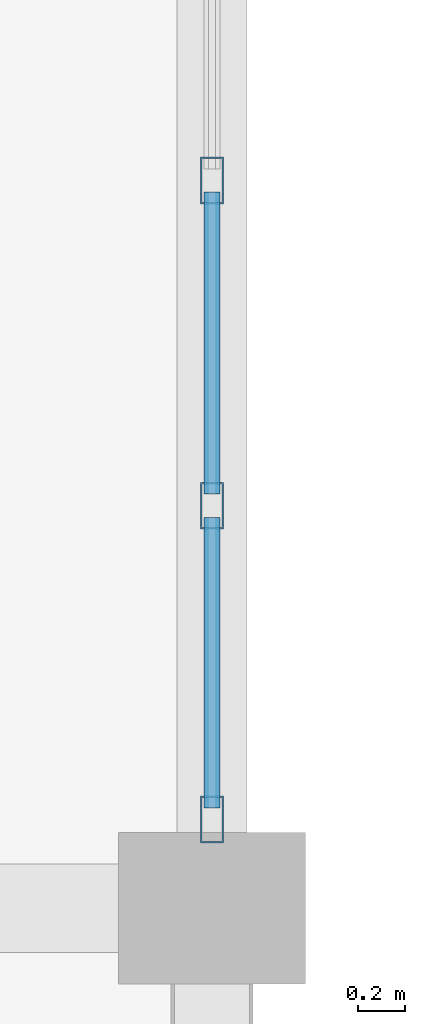
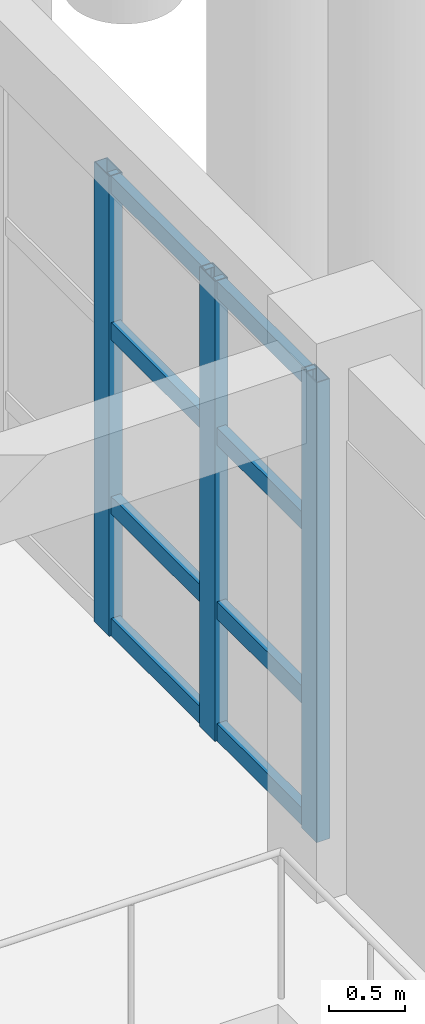
# One storey, part 82 of 166: 11 members, 1 element without a shape of its own.
"""IFC4 building model written with IfcOpenShell, lengths in metres."""

from ifc_helpers import new_model, si_unit, direction, frame, origin, origin_2d, place, context, subcontext, project, spatial, hollow_rectangle, extrude, material, material_profile, profile_set, type_object, element, aggregate, save


model = new_model("IFC4")

# Units and contexts
model_context = context("Model", 3, precision=1e-05, world=origin(), true_north=direction((0.0, 1.0)))
body_context = subcontext(model_context, "Body", "Model", "MODEL_VIEW")
ifc_project = project(units=[si_unit("LENGTHUNIT", "METRE"), si_unit("AREAUNIT", "SQUARE_METRE"), si_unit("VOLUMEUNIT", "CUBIC_METRE"), si_unit("PLANEANGLEUNIT", "RADIAN"), si_unit("MASSUNIT", "GRAM", prefix="KILO")], contexts=[model_context])

# Site, building, storey
site_placement = place(None, origin())
site = spatial("IfcSite", under=ifc_project, at=site_placement, CompositionType="ELEMENT")
building_placement = place(site_placement, origin())
building = spatial("IfcBuilding", under=site, at=building_placement, Name="Kharva Crest Polytechnic", CompositionType="ELEMENT")
storey_placement = place(building_placement, origin())
storey = spatial("IfcBuildingStorey", under=building, at=storey_placement, Name="L00", CompositionType="ELEMENT", Elevation=0.0)

# Curtain wall, members
ifc_material_1 = material(Name="Tempered insulated glass", Category="glass")
curtain_wall_type = type_object("IfcCurtainWallType", Name="CW-SYS-REFECTORY", PredefinedType="USERDEFINED", material=ifc_material_1)
curtain_wall_placement = place(storey_placement, origin())
curtain_wall = element("IfcCurtainWall", 1, at=curtain_wall_placement, inside=storey, type_object=curtain_wall_type, Name="L00 Glazed Curtain Wall CW-011", ObjectType="CURTAIN WALL", PredefinedType="USERDEFINED")
ifc_material_2 = material(Name="Steel S355", Category="steel")
ifc_material_profile_1 = material_profile(ifc_material_2, hollow_rectangle(XDim=0.10009765625, YDim=0.199951171875, WallThickness=0.00634765625, at=origin_2d()), Name="RHS 200X100X6.3")
ifc_profile_set_1 = profile_set([ifc_material_profile_1], Name="Steel S355")
member_type_1 = type_object("IfcMemberType", Name="CWM-RHS200X100", PredefinedType="MULLION", material=ifc_profile_set_1)
member_1_placement = place(storey_placement, frame((168.800048828125, 23.179931640625, 0.0), z_axis=(0.0, 0.0, 1.0), x_axis=(-1.0, 0.0, 0.0)))
member_1 = element("IfcMember", 2, at=member_1_placement, type_object=member_type_1, Name="CW-011 mullion 1", PredefinedType="MULLION", context=body_context, shape_type="SweptSolid", body=[
    extrude(hollow_rectangle(XDim=0.10009765625, YDim=0.199951171875, WallThickness=0.00634765625, at=origin_2d()), origin(), (0.0, 0.0, 1.0), 3.699951171875),
])
member_2_placement = place(storey_placement, frame((168.800048828125, 24.52294921875, 0.0), z_axis=(0.0, 0.0, 1.0), x_axis=(-1.0, 0.0, 0.0)))
member_2 = element("IfcMember", 3, at=member_2_placement, type_object=member_type_1, Name="CW-011 mullion 2", PredefinedType="MULLION", context=body_context, shape_type="SweptSolid", body=[
    extrude(hollow_rectangle(XDim=0.10009765625, YDim=0.199951171875, WallThickness=0.00634765625, at=origin_2d()), origin(), (0.0, 0.0, 1.0), 3.699951171875),
])
member_3_placement = place(storey_placement, frame((168.800048828125, 25.916015625, 0.0), z_axis=(0.0, 0.0, 1.0), x_axis=(-1.0, 0.0, 0.0)))
member_3 = element("IfcMember", 4, at=member_3_placement, type_object=member_type_1, Name="CW-011 mullion 3", PredefinedType="MULLION", context=body_context, shape_type="SweptSolid", body=[
    extrude(hollow_rectangle(XDim=0.10009765625, YDim=0.199951171875, WallThickness=0.00634765625, at=origin_2d()), origin(), (0.0, 0.0, 1.0), 3.699951171875),
])
ifc_material_profile_2 = material_profile(ifc_material_2, hollow_rectangle(XDim=0.070068359375, YDim=0.139892578125, WallThickness=0.00390625, at=origin_2d()), Name="RHS 140X70X4.0")
ifc_profile_set_2 = profile_set([ifc_material_profile_2], Name="Steel S355")
member_type_2 = type_object("IfcMemberType", Name="CWT-RHS140X70", PredefinedType="USERDEFINED", material=ifc_profile_set_2)
member_4_placement = place(storey_placement, frame((168.800048828125, 23.22998046875, 0.070068359375), z_axis=(0.0, 1.0, 0.0), x_axis=(-1.0, 0.0, 0.0)))
member_4 = element("IfcMember", 5, at=member_4_placement, type_object=member_type_2, Name="CW-011 transom 1.1", ObjectType="TRANSOM", PredefinedType="USERDEFINED", context=body_context, shape_type="SweptSolid", body=[
    extrude(hollow_rectangle(XDim=0.070068359375, YDim=0.139892578125, WallThickness=0.00390625, at=origin_2d()), origin(), (0.0, 0.0, 1.0), 1.242919921875),
])
member_5_placement = place(storey_placement, frame((168.800048828125, 23.22998046875, 1.050048828125), z_axis=(0.0, 1.0, 0.0), x_axis=(-1.0, 0.0, 0.0)))
member_5 = element("IfcMember", 6, at=member_5_placement, type_object=member_type_2, Name="CW-011 transom 1.2", ObjectType="TRANSOM", PredefinedType="USERDEFINED", context=body_context, shape_type="SweptSolid", body=[
    extrude(hollow_rectangle(XDim=0.070068359375, YDim=0.139892578125, WallThickness=0.00390625, at=origin_2d()), origin(), (0.0, 0.0, 1.0), 1.242919921875),
])
member_6_placement = place(storey_placement, frame((168.800048828125, 23.22998046875, 2.449951171875), z_axis=(0.0, 1.0, 0.0), x_axis=(-1.0, 0.0, 0.0)))
member_6 = element("IfcMember", 7, at=member_6_placement, type_object=member_type_2, Name="CW-011 transom 1.3", ObjectType="TRANSOM", PredefinedType="USERDEFINED", context=body_context, shape_type="SweptSolid", body=[
    extrude(hollow_rectangle(XDim=0.070068359375, YDim=0.139892578125, WallThickness=0.00390625, at=origin_2d()), origin(), (0.0, 0.0, 1.0), 1.242919921875),
])
member_7_placement = place(storey_placement, frame((168.800048828125, 23.22998046875, 3.6298828125), z_axis=(0.0, 1.0, 0.0), x_axis=(-1.0, 0.0, 0.0)))
member_7 = element("IfcMember", 8, at=member_7_placement, type_object=member_type_2, Name="CW-011 transom 1.4", ObjectType="TRANSOM", PredefinedType="USERDEFINED", context=body_context, shape_type="SweptSolid", body=[
    extrude(hollow_rectangle(XDim=0.070068359375, YDim=0.139892578125, WallThickness=0.00390625, at=origin_2d()), origin(), (0.0, 0.0, 1.0), 1.242919921875),
])
member_8_placement = place(storey_placement, frame((168.800048828125, 24.572998046875, 0.070068359375), z_axis=(0.0, 1.0, 0.0), x_axis=(-1.0, 0.0, 0.0)))
member_8 = element("IfcMember", 9, at=member_8_placement, type_object=member_type_2, Name="CW-011 transom 2.1", ObjectType="TRANSOM", PredefinedType="USERDEFINED", context=body_context, shape_type="SweptSolid", body=[
    extrude(hollow_rectangle(XDim=0.070068359375, YDim=0.139892578125, WallThickness=0.00390625, at=origin_2d()), origin(), (0.0, 0.0, 1.0), 1.29296875),
])
member_9_placement = place(storey_placement, frame((168.800048828125, 24.572998046875, 1.050048828125), z_axis=(0.0, 1.0, 0.0), x_axis=(-1.0, 0.0, 0.0)))
member_9 = element("IfcMember", 10, at=member_9_placement, type_object=member_type_2, Name="CW-011 transom 2.2", ObjectType="TRANSOM", PredefinedType="USERDEFINED", context=body_context, shape_type="SweptSolid", body=[
    extrude(hollow_rectangle(XDim=0.070068359375, YDim=0.139892578125, WallThickness=0.00390625, at=origin_2d()), origin(), (0.0, 0.0, 1.0), 1.29296875),
])
member_10_placement = place(storey_placement, frame((168.800048828125, 24.572998046875, 2.449951171875), z_axis=(0.0, 1.0, 0.0), x_axis=(-1.0, 0.0, 0.0)))
member_10 = element("IfcMember", 11, at=member_10_placement, type_object=member_type_2, Name="CW-011 transom 2.3", ObjectType="TRANSOM", PredefinedType="USERDEFINED", context=body_context, shape_type="SweptSolid", body=[
    extrude(hollow_rectangle(XDim=0.070068359375, YDim=0.139892578125, WallThickness=0.00390625, at=origin_2d()), origin(), (0.0, 0.0, 1.0), 1.29296875),
])
member_11_placement = place(storey_placement, frame((168.800048828125, 24.572998046875, 3.6298828125), z_axis=(0.0, 1.0, 0.0), x_axis=(-1.0, 0.0, 0.0)))
member_11 = element("IfcMember", 12, at=member_11_placement, type_object=member_type_2, Name="CW-011 transom 2.4", ObjectType="TRANSOM", PredefinedType="USERDEFINED", context=body_context, shape_type="SweptSolid", body=[
    extrude(hollow_rectangle(XDim=0.070068359375, YDim=0.139892578125, WallThickness=0.00390625, at=origin_2d()), origin(), (0.0, 0.0, 1.0), 1.29296875),
])
aggregate(curtain_wall, [member_1, member_2, member_3, member_4, member_5, member_6, member_7, member_8, member_9, member_10, member_11])

save(model, "model.ifc")
